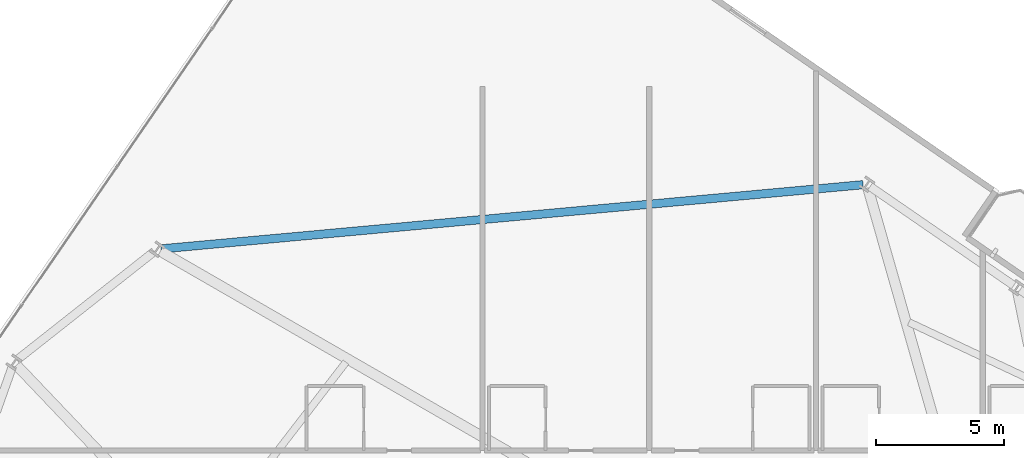
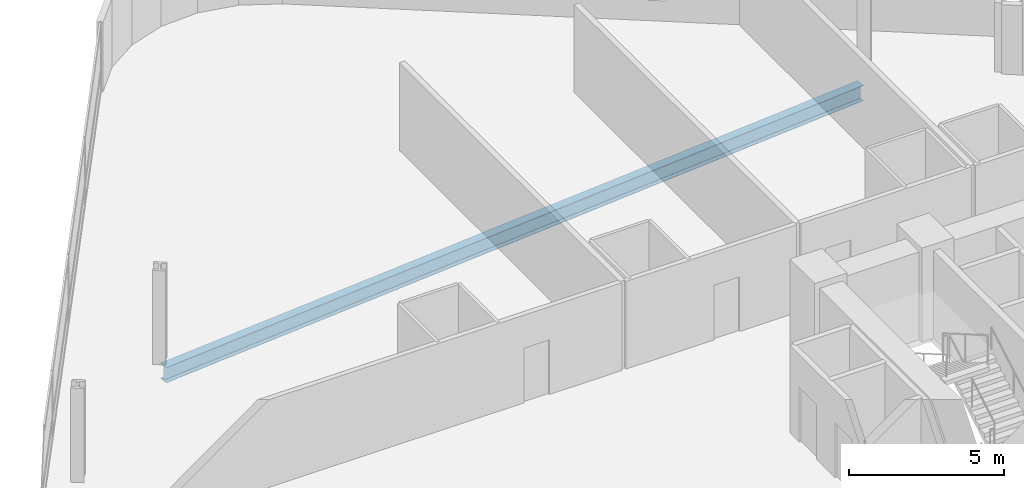
# One storey, part 14 of 25: 1 beam.
"""IFC4 building model written with IfcOpenShell, lengths in metres."""

from ifc_helpers import new_model, si_unit, direction, frame, origin, origin_2d, place, context, subcontext, project, spatial, i_section, extrude, material, material_profile, profile_set, type_object, element, save


model = new_model("IFC4")

# Units and contexts
model_context = context("Model", 3, precision=1e-05, world=origin(), true_north=direction((0.0, 1.0)))
body_context = subcontext(model_context, "Body", "Model", "MODEL_VIEW")
ifc_project = project(units=[si_unit("LENGTHUNIT", "METRE"), si_unit("AREAUNIT", "SQUARE_METRE"), si_unit("VOLUMEUNIT", "CUBIC_METRE"), si_unit("PLANEANGLEUNIT", "RADIAN"), si_unit("MASSUNIT", "GRAM", prefix="KILO")], contexts=[model_context])

# Site, building, storey
site_placement = place(None, origin())
site = spatial("IfcSite", under=ifc_project, at=site_placement, CompositionType="ELEMENT")
building_placement = place(site_placement, origin())
building = spatial("IfcBuilding", under=site, at=building_placement, Name="Varnelok Gate Tower", CompositionType="ELEMENT")
storey_placement = place(building_placement, frame((0.0, 0.0, 64.0)))
storey = spatial("IfcBuildingStorey", under=building, at=storey_placement, Name="L15", CompositionType="ELEMENT", Elevation=64.0)

# Beam
ifc_material = material(Name="Structural Steel ASTM A992 Grade 50", Category="steel")
ifc_material_profile = material_profile(ifc_material, i_section(OverallWidth=0.323974609375, OverallDepth=0.611083984375, WebThickness=0.0126953125, FlangeThickness=0.01904296875, FilletRadius=0.01806640625, at=origin_2d()), Name="W24X104")
ifc_profile_set = profile_set([ifc_material_profile], Name="Structural Steel ASTM A992 Grade 50")
beam_type = type_object("IfcBeamType", Name="BM-SPN-W24X104", PredefinedType="SPANDREL", material=ifc_profile_set)
beam_placement = place(storey_placement, frame((39.8359375, 52.163818359375, -0.555419921875), z_axis=(-0.995845891963, -0.091054705864, 0.0), x_axis=(0.091054705864, -0.995845891963, 0.0)))
element("IfcBeam", 1, at=beam_placement, inside=storey, type_object=beam_type, Name="L15 Perimeter Spandrel Beam 13", PredefinedType="SPANDREL", context=body_context, shape_type="SweptSolid", body=[
    extrude(i_section(OverallWidth=0.323974609375, OverallDepth=0.611083984375, WebThickness=0.0126953125, FlangeThickness=0.01904296875, FilletRadius=0.01806640625, at=origin_2d()), origin(), (0.0, 0.0, 1.0), 27.485595703125),
])

save(model, "model.ifc")
